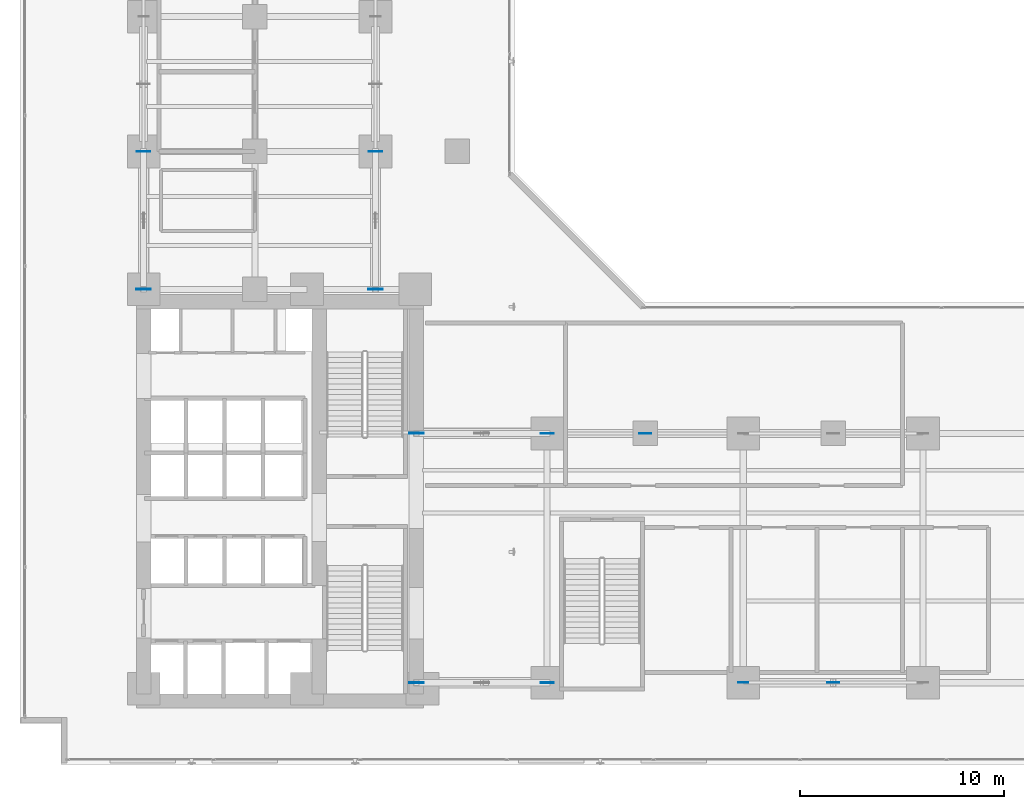
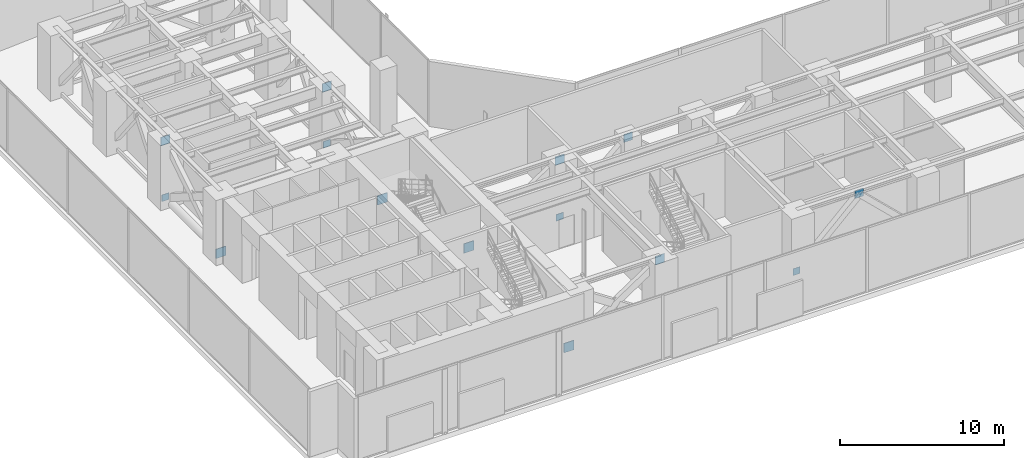
# One storey, part 29 of 36: 14 plates.
"""IFC4 building model written with IfcOpenShell, lengths in metres."""

from ifc_helpers import new_model, si_unit, direction, frame, origin, origin_with_axes, origin_2d, place, context, subcontext, project, spatial, rectangle, extrude, source, transform, mapped, material, layer, layer_set, type_object, element, save


model = new_model("IFC4")

# Units and contexts
model_context = context("Model", 3, precision=1e-05, world=origin(), true_north=direction((0.0, 1.0)))
body_context = subcontext(model_context, "Body", "Model", "MODEL_VIEW")
ifc_project = project(units=[si_unit("LENGTHUNIT", "METRE"), si_unit("AREAUNIT", "SQUARE_METRE"), si_unit("VOLUMEUNIT", "CUBIC_METRE"), si_unit("PLANEANGLEUNIT", "RADIAN"), si_unit("MASSUNIT", "GRAM", prefix="KILO")], contexts=[model_context])

# Site, building, storey
site_placement = place(None, origin())
site = spatial("IfcSite", under=ifc_project, at=site_placement, CompositionType="ELEMENT")
building_placement = place(site_placement, origin())
building = spatial("IfcBuilding", under=site, at=building_placement, Name="Kolvaren Waterfront Exchange", CompositionType="ELEMENT")
storey_placement = place(building_placement, frame((0.0, 0.0, 82.800048828125)))
storey = spatial("IfcBuildingStorey", under=building, at=storey_placement, Name="L21", CompositionType="ELEMENT", Elevation=82.800048828125)

# Plates
ifc_material_1 = material(Name="Steel S460", Category="steel")
ifc_layer_1 = layer(ifc_material_1, 0.044921875, Name="Steel S460")
ifc_layer_set_1 = layer_set([ifc_layer_1], Name="Steel S460")
plate_type_1 = type_object("IfcPlateType", Name="STR-PL-ON1", PredefinedType="USERDEFINED", material=ifc_layer_set_1)
shared_shape_1 = source(origin_with_axes(), body_context, "Body", "SweptSolid", [
    extrude(rectangle(XDim=0.699951171875, YDim=0.044921875, at=origin_2d()), origin(), (0.0, 0.0, 1.0), 0.699951171875),
])
for number, where, z_axis, x_axis, name in (
    (1, (20.800048828125, 5.199951171875, -0.10009765625), (0.0, 0.0, 1.0), (1.0, 0.0, 0.0), "L21 outrigger core gusset plate OA1"),
    (2, (20.800048828125, 17.39990234375, -0.10009765625), (0.0, 0.0, 1.0), (1.0, 0.0, 0.0), "L21 outrigger core gusset plate OA2"),
    (3, (7.449951171875, 24.449951171875, -0.10009765625), (0.0, 0.0, 1.0), (1.0, 0.0, 0.0), "L21 outrigger core gusset plate OA3"),
    (4, (18.800048828125, 24.449951171875, -0.10009765625), (0.0, 0.0, 1.0), (1.0, 0.0, 0.0), "L21 outrigger core gusset plate OA4"),
):
    element("IfcPlate", number, at=place(storey_placement, frame(where, z_axis=z_axis, x_axis=x_axis)), inside=storey, type_object=plate_type_1, Name=name, ObjectType="GUSSET PLATE", PredefinedType="USERDEFINED", context=body_context, shape_type="MappedRepresentation", body=[
        mapped(shared_shape_1, transform((0.0, 0.0, 0.0), x_axis=(1.0, 0.0, 0.0), y_axis=(0.0, 1.0, 0.0), z_axis=(0.0, 0.0, 1.0), scale=1.0)),
    ])
ifc_layer_2 = layer(ifc_material_1, 0.031982421875, Name="Steel S460")
ifc_layer_set_2 = layer_set([ifc_layer_2], Name="Steel S460")
plate_type_2 = type_object("IfcPlateType", Name="STR-PL-ON2", PredefinedType="USERDEFINED", material=ifc_layer_set_2)
shared_shape_2 = source(origin_with_axes(), body_context, "Body", "SweptSolid", [
    extrude(rectangle(XDim=0.64990234375, YDim=0.031982421875, at=origin_2d()), origin(), (0.0, 0.0, 1.0), 0.64990234375),
])
for number, where, z_axis, x_axis, name in (
    (5, (27.199951171875, 5.199951171875, 4.1650390625), (0.0, 0.0, 1.0), (1.0, 0.0, 0.0), "L21 outrigger perimeter cap plate OA1"),
    (6, (27.199951171875, 17.39990234375, 4.1650390625), (0.0, 0.0, 1.0), (1.0, 0.0, 0.0), "L21 outrigger perimeter cap plate OA2"),
    (7, (7.449951171875, 31.199951171875, 4.1650390625), (0.0, 0.0, 1.0), (1.0, 0.0, 0.0), "L21 outrigger perimeter cap plate OA3"),
    (8, (18.800048828125, 31.199951171875, 4.1650390625), (0.0, 0.0, 1.0), (1.0, 0.0, 0.0), "L21 outrigger perimeter cap plate OA4"),
):
    element("IfcPlate", number, at=place(storey_placement, frame(where, z_axis=z_axis, x_axis=x_axis)), inside=storey, type_object=plate_type_2, Name=name, ObjectType="GUSSET PLATE", PredefinedType="USERDEFINED", context=body_context, shape_type="MappedRepresentation", body=[
        mapped(shared_shape_2, transform((0.0, 0.0, 0.0), x_axis=(1.0, 0.0, 0.0), y_axis=(0.0, 1.0, 0.0), z_axis=(0.0, 0.0, 1.0), scale=1.0)),
    ])
ifc_layer_3 = layer(ifc_material_1, 0.030029296875, Name="Steel S460")
ifc_layer_set_3 = layer_set([ifc_layer_3], Name="Steel S460")
plate_type_3 = type_object("IfcPlateType", Name="STR-PL-BN1", PredefinedType="SHEET", material=ifc_layer_set_3)
shared_shape_3 = source(origin_with_axes(), body_context, "Body", "SweptSolid", [
    extrude(rectangle(XDim=0.60009765625, YDim=0.030029296875, at=origin_2d()), origin(), (0.0, 0.0, 1.0), 0.60009765625),
])
for number, where, z_axis, x_axis, name in (
    (9, (32.0, 17.39990234375, 4.18994140625), (0.0, 0.0, 1.0), (1.0, 0.0, 0.0), "L21 belt-truss chevron apex gusset BT1"),
    (10, (41.199951171875, 5.199951171875, 4.18994140625), (0.0, 0.0, 1.0), (1.0, 0.0, 0.0), "L21 belt-truss chevron apex gusset BT3"),
):
    element("IfcPlate", number, at=place(storey_placement, frame(where, z_axis=z_axis, x_axis=x_axis)), inside=storey, type_object=plate_type_3, Name=name, PredefinedType="SHEET", context=body_context, shape_type="MappedRepresentation", body=[
        mapped(shared_shape_3, transform((0.0, 0.0, 0.0), x_axis=(1.0, 0.0, 0.0), y_axis=(0.0, 1.0, 0.0), z_axis=(0.0, 0.0, 1.0), scale=1.0)),
    ])
ifc_material_2 = material(Name="Steel S355", Category="steel")
ifc_layer_4 = layer(ifc_material_2, 0.02490234375, Name="Steel S355")
ifc_layer_set_4 = layer_set([ifc_layer_4], Name="Steel S355")
plate_type_4 = type_object("IfcPlateType", Name="STR-PL-BN2", PredefinedType="SHEET", material=ifc_layer_set_4)
shared_shape_4 = source(origin_with_axes(), body_context, "Body", "SweptSolid", [
    extrude(rectangle(XDim=0.5, YDim=0.02490234375, at=origin_2d()), origin(), (0.0, 0.0, 1.0), 0.5),
])
for number, where, z_axis, x_axis, name in (
    (11, (27.199951171875, 17.39990234375, 0.0), (0.0, 0.0, 1.0), (1.0, 0.0, 0.0), "L21 belt-truss end cap plate BT1.1"),
    (12, (36.800048828125, 5.199951171875, 0.0), (0.0, 0.0, 1.0), (1.0, 0.0, 0.0), "L21 belt-truss end cap plate BT3.1"),
    (13, (7.449951171875, 31.199951171875, 0.0), (0.0, 0.0, 1.0), (1.0, 0.0, 0.0), "L21 belt-truss end cap plate BT4.1"),
    (14, (18.800048828125, 31.199951171875, 0.0), (0.0, 0.0, 1.0), (1.0, 0.0, 0.0), "L21 belt-truss end cap plate BT6.1"),
):
    element("IfcPlate", number, at=place(storey_placement, frame(where, z_axis=z_axis, x_axis=x_axis)), inside=storey, type_object=plate_type_4, Name=name, PredefinedType="SHEET", context=body_context, shape_type="MappedRepresentation", body=[
        mapped(shared_shape_4, transform((0.0, 0.0, 0.0), x_axis=(1.0, 0.0, 0.0), y_axis=(0.0, 1.0, 0.0), z_axis=(0.0, 0.0, 1.0), scale=1.0)),
    ])

save(model, "model.ifc")
